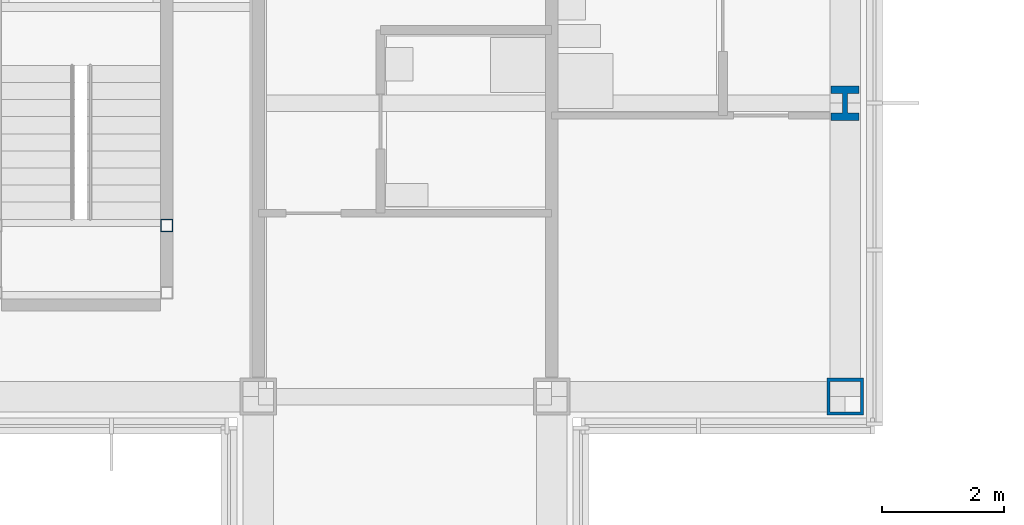
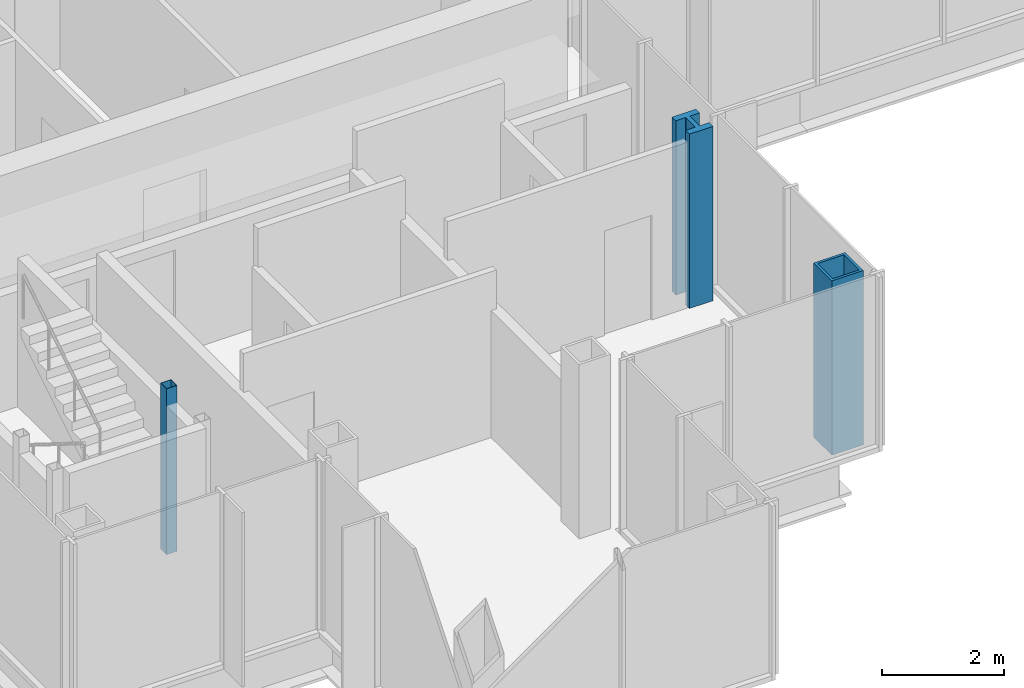
# One storey, part 2 of 15: 3 columns.
"""IFC4 building model written with IfcOpenShell, lengths in metres."""

from ifc_helpers import new_model, si_unit, direction, frame, origin, origin_2d, place, context, subcontext, project, spatial, hollow_rectangle, i_section, extrude, material, material_profile, profile_set, type_object, element, save


model = new_model("IFC4")

# Units and contexts
model_context = context("Model", 3, precision=1e-05, world=origin(), true_north=direction((0.0, 1.0)))
body_context = subcontext(model_context, "Body", "Model", "MODEL_VIEW")
ifc_project = project(units=[si_unit("LENGTHUNIT", "METRE"), si_unit("AREAUNIT", "SQUARE_METRE"), si_unit("VOLUMEUNIT", "CUBIC_METRE"), si_unit("PLANEANGLEUNIT", "RADIAN"), si_unit("MASSUNIT", "GRAM", prefix="KILO")], contexts=[model_context])

# Site, building, storey
site_placement = place(None, origin())
site = spatial("IfcSite", under=ifc_project, at=site_placement, CompositionType="ELEMENT")
building_placement = place(site_placement, origin())
building = spatial("IfcBuilding", under=site, at=building_placement, Name="Kvirike Care Tower", CompositionType="ELEMENT")
storey_placement = place(building_placement, frame((0.0, 0.0, 205.0)))
storey = spatial("IfcBuildingStorey", under=building, at=storey_placement, Name="L56", CompositionType="ELEMENT", Elevation=205.0)

# Columns
ifc_material_1 = material(Name="Steel S460", Category="steel")
ifc_material_profile_1 = material_profile(ifc_material_1, hollow_rectangle(XDim=0.60009765625, YDim=0.60009765625, WallThickness=0.050048828125, at=origin_2d()), Name="BX 600x600x50")
ifc_profile_set_1 = profile_set([ifc_material_profile_1], Name="Steel S460")
column_type_1 = type_object("IfcColumnType", Name="COLUMN BX 600x600x50", PredefinedType="COLUMN", material=ifc_profile_set_1)
column_1_placement = place(storey_placement, frame((28.800048828125, 19.199951171875, 0.0), z_axis=(0.0, 0.0, 1.0), x_axis=(0.0, 1.0, 0.0)))
element("IfcColumn", 1, at=column_1_placement, inside=storey, type_object=column_type_1, Name="Column E9 L56", PredefinedType="COLUMN", context=body_context, shape_type="SweptSolid", body=[
    extrude(hollow_rectangle(XDim=0.60009765625, YDim=0.60009765625, WallThickness=0.050048828125, at=origin_2d()), origin(), (0.0, 0.0, 1.0), 3.5),
])
ifc_material_2 = material(Name="Steel S460", Category="steel")
ifc_material_profile_2 = material_profile(ifc_material_2, i_section(OverallWidth=0.4541015625, OverallDepth=0.569091796875, WebThickness=0.077880859375, FlangeThickness=0.125, FilletRadius=0.014892578125, at=origin_2d()), Name="HD 400x1086")
ifc_profile_set_2 = profile_set([ifc_material_profile_2], Name="Steel S460")
column_type_2 = type_object("IfcColumnType", Name="COLUMN HD 400x1086", PredefinedType="COLUMN", material=ifc_profile_set_2)
column_2_placement = place(storey_placement, frame((28.800048828125, 24.0, 0.0), z_axis=(0.0, 0.0, 1.0), x_axis=(1.0, 0.0, 0.0)))
element("IfcColumn", 2, at=column_2_placement, inside=storey, type_object=column_type_2, Name="Column F9 L56", PredefinedType="COLUMN", context=body_context, shape_type="SweptSolid", body=[
    extrude(i_section(OverallWidth=0.4541015625, OverallDepth=0.569091796875, WebThickness=0.077880859375, FlangeThickness=0.125, FilletRadius=0.014892578125, at=origin_2d()), origin(), (0.0, 0.0, 1.0), 3.5),
])
ifc_material_3 = material(Name="Steel S460", Category="steel")
ifc_material_profile_3 = material_profile(ifc_material_3, hollow_rectangle(XDim=0.199951171875, YDim=0.199951171875, WallThickness=0.008056640625, at=origin_2d()), Name="SHS 200x200x8")
ifc_profile_set_3 = profile_set([ifc_material_profile_3], Name="Steel S460")
column_type_3 = type_object("IfcColumnType", Name="STAIR POST SHS 200x200x8", PredefinedType="COLUMN", material=ifc_profile_set_3)
column_3_placement = place(storey_placement, frame((17.699951171875, 22.0, 0.0), z_axis=(0.0, 0.0, 1.0), x_axis=(1.0, 0.0, 0.0)))
element("IfcColumn", 3, at=column_3_placement, inside=storey, type_object=column_type_3, Name="Stair 5 post 4 L56", PredefinedType="COLUMN", context=body_context, shape_type="SweptSolid", body=[
    extrude(hollow_rectangle(XDim=0.199951171875, YDim=0.199951171875, WallThickness=0.008056640625, at=origin_2d()), origin(), (0.0, 0.0, 1.0), 3.330078125),
])

save(model, "model.ifc")
